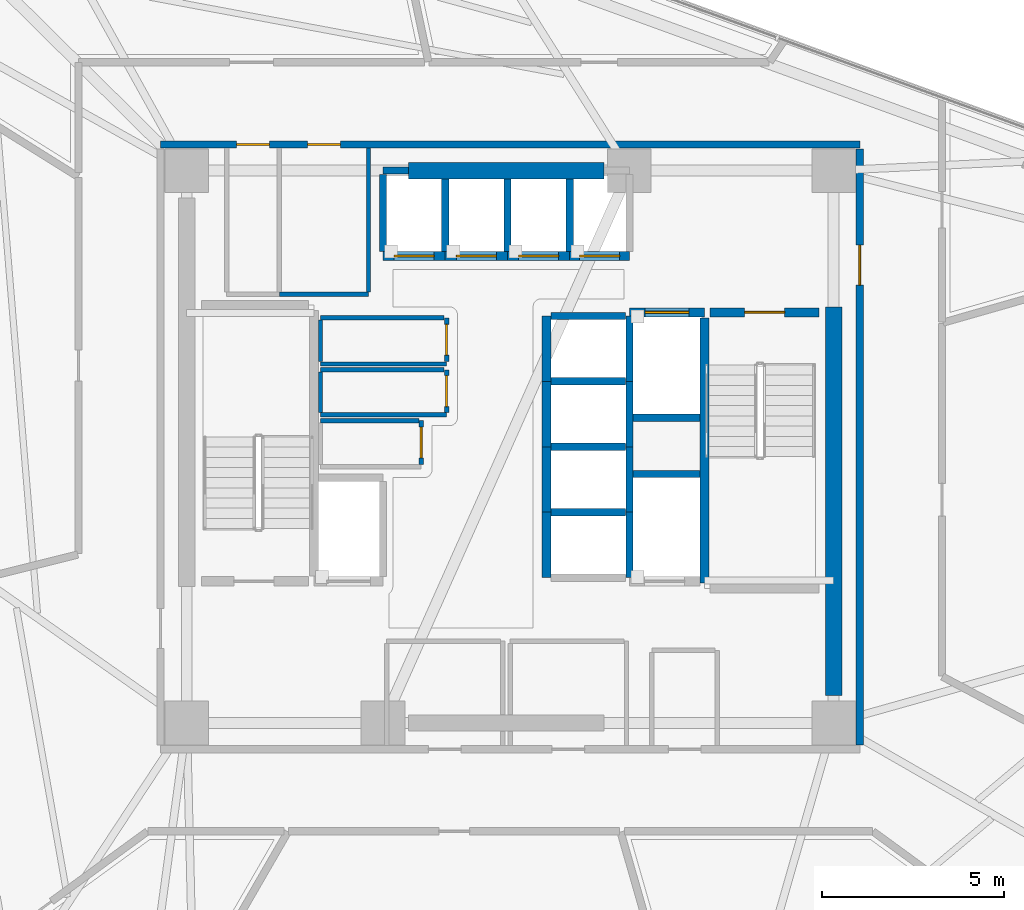
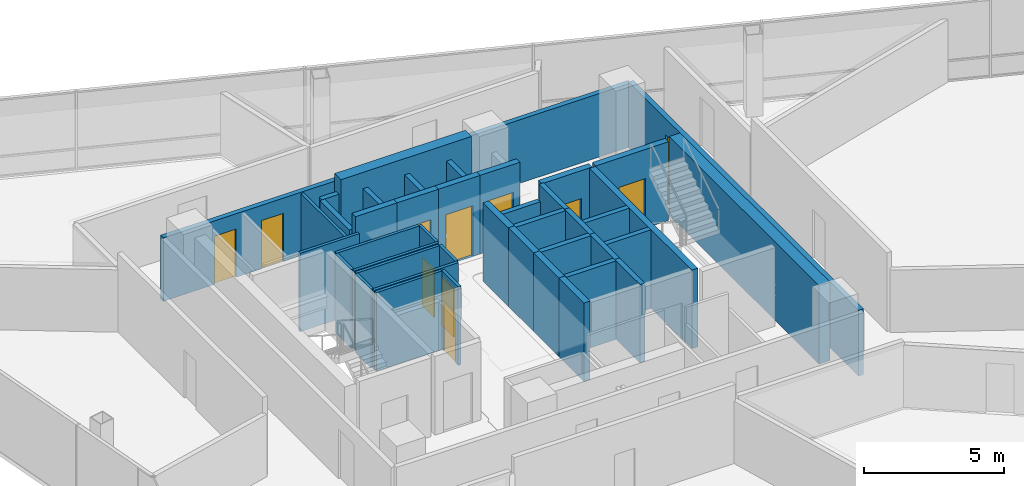
# One storey, part 11 of 15: 42 walls, 12 doors, 12 openings.
"""IFC4 building model written with IfcOpenShell, lengths in metres."""

from ifc_helpers import new_model, si_unit, direction, frame, frame_2d, origin, place, context, subcontext, project, spatial, rectangle, extrude, material, layer, layer_set, type_object, element, fill, save


model = new_model("IFC4")

# Units and contexts
model_context = context("Model", 3, precision=1e-05, world=origin(), true_north=direction((0.0, 1.0)))
body_context = subcontext(model_context, "Body", "Model", "MODEL_VIEW")
ifc_project = project(units=[si_unit("LENGTHUNIT", "METRE"), si_unit("AREAUNIT", "SQUARE_METRE"), si_unit("VOLUMEUNIT", "CUBIC_METRE"), si_unit("PLANEANGLEUNIT", "RADIAN"), si_unit("MASSUNIT", "GRAM", prefix="KILO")], contexts=[model_context])

# Site, building, storey
site_placement = place(None, origin())
site = spatial("IfcSite", under=ifc_project, at=site_placement, CompositionType="ELEMENT")
building_placement = place(site_placement, origin())
building = spatial("IfcBuilding", under=site, at=building_placement, Name="Tharavind Bronze Gate", CompositionType="ELEMENT")
storey_placement = place(building_placement, frame((0.0, 0.0, 174.10009765625)))
storey = spatial("IfcBuildingStorey", under=building, at=storey_placement, Name="L44", CompositionType="ELEMENT", Elevation=174.10009765625)

# Wall, openings, doors
ifc_material_1 = material(Name="Aerated Concrete Block", Category="concrete")
ifc_layer_1 = layer(ifc_material_1, 0.199951171875)
ifc_layer_set_1 = layer_set([ifc_layer_1], Name="Aerated Concrete Block")
wall_type_1 = type_object("IfcWallType", Name="FIRE RATED PARTITION 200", PredefinedType="PARTITIONING", material=ifc_layer_set_1)
wall_1_placement = place(storey_placement, frame((9.6201171875, 8.320068359375, 0.0), z_axis=(0.0, 0.0, 1.0), x_axis=(-1.0, 0.0, 0.0)))
wall_1 = element("IfcWall", 1, at=wall_1_placement, inside=storey, type_object=wall_type_1, Name="L44 north core corridor wall", PredefinedType="PARTITIONING", context=body_context, shape_type="SweptSolid", body=[
    extrude(rectangle(XDim=19.240234375, YDim=0.199951171875, at=frame_2d((9.6201171875, 0.0))), origin(), (0.0, 0.0, 1.0), 2.764892578125),
])
opening_1_placement = place(wall_1_placement, frame((16.2451171875, 0.0, 0.0)))
opening_1 = element("IfcOpeningElement", 2, at=opening_1_placement, cuts=wall_1, Name="Opening ID07", PredefinedType="OPENING", context=body_context, shape_type="SweptSolid", body=[
    extrude(rectangle(XDim=0.89990234375, YDim=2.10009765625, at=frame_2d((0.449951171875, 1.050048828125))), frame((0.0, 0.11009765625, 0.0), z_axis=(0.0, -1.0, 0.0), x_axis=(1.0, 0.0, 0.0)), (0.0, 0.0, 1.0), 0.219951171875),
])
opening_2_placement = place(wall_1_placement, frame((14.294921875, 0.0, 0.0)))
opening_2 = element("IfcOpeningElement", 3, at=opening_2_placement, cuts=wall_1, Name="Opening ID07", PredefinedType="OPENING", context=body_context, shape_type="SweptSolid", body=[
    extrude(rectangle(XDim=0.89990234375, YDim=2.10009765625, at=frame_2d((0.449951171875, 1.050048828125))), frame((0.0, 0.11009765625, 0.0), z_axis=(0.0, -1.0, 0.0), x_axis=(1.0, 0.0, 0.0)), (0.0, 0.0, 1.0), 0.219951171875),
])
ifc_material_2 = material(Name="Galvanised Fire Steel", Category="steel")
door_type_1 = type_object("IfcDoorType", Name="PLANT AND RISER FIRE DOOR 900X2100", OperationType="SINGLE_SWING_LEFT", PredefinedType="DOOR", material=ifc_material_2)
door_1_placement = place(opening_1_placement, frame((0.89990234375, 0.0, 0.0), z_axis=(0.0, 0.0, 1.0), x_axis=(-1.0, 0.0, 0.0)))
door_1 = element("IfcDoor", 4, at=door_1_placement, inside=storey, type_object=door_type_1, Name="L44 Battery Backup Cupboard fire door", OperationType="SINGLE_SWING_LEFT", OverallHeight=2.10009765625, OverallWidth=0.89990234375, PredefinedType="DOOR", context=body_context, shape_type="SweptSolid", body=[
    extrude(rectangle(XDim=0.89990234375, YDim=2.10009765625, at=frame_2d((0.449951171875, 1.050048828125))), frame((0.0, 0.02490234375, 0.0), z_axis=(0.0, -1.0, 0.0), x_axis=(1.0, 0.0, 0.0)), (0.0, 0.0, 1.0), 0.050048828125),
])
fill(opening_1, door_1)
door_2_placement = place(opening_2_placement, frame((0.89990234375, 0.0, 0.0), z_axis=(0.0, 0.0, 1.0), x_axis=(-1.0, 0.0, 0.0)))
door_2 = element("IfcDoor", 5, at=door_2_placement, inside=storey, type_object=door_type_1, Name="L44 Cleaner Store Room fire door", OperationType="SINGLE_SWING_LEFT", OverallHeight=2.10009765625, OverallWidth=0.89990234375, PredefinedType="DOOR", context=body_context, shape_type="SweptSolid", body=[
    extrude(rectangle(XDim=0.89990234375, YDim=2.10009765625, at=frame_2d((0.449951171875, 1.050048828125))), frame((0.0, 0.02490234375, 0.0), z_axis=(0.0, -1.0, 0.0), x_axis=(1.0, 0.0, 0.0)), (0.0, 0.0, 1.0), 0.050048828125),
])
fill(opening_2, door_2)

# Wall, opening, door
wall_2_placement = place(storey_placement, frame((9.6201171875, -8.199951171875, 0.0), z_axis=(0.0, 0.0, 1.0), x_axis=(0.0, 1.0, 0.0)))
wall_2 = element("IfcWall", 6, at=wall_2_placement, inside=storey, type_object=wall_type_1, Name="L44 east core corridor wall", PredefinedType="PARTITIONING", context=body_context, shape_type="SweptSolid", body=[
    extrude(rectangle(XDim=16.39990234375, YDim=0.199951171875, at=frame_2d((8.199951171875, 0.0))), origin(), (0.0, 0.0, 1.0), 2.864990234375),
])
opening_3_placement = place(wall_2_placement, frame((12.64990234375, 0.0, 0.0)))
opening_3 = element("IfcOpeningElement", 7, at=opening_3_placement, cuts=wall_2, Name="Opening ID01", PredefinedType="OPENING", context=body_context, shape_type="SweptSolid", body=[
    extrude(rectangle(XDim=1.10009765625, YDim=2.14990234375, at=frame_2d((0.550048828125, 1.074951171875))), frame((0.0, 0.11009765625, 0.0), z_axis=(0.0, -1.0, 0.0), x_axis=(1.0, 0.0, 0.0)), (0.0, 0.0, 1.0), 0.219951171875),
])
ifc_material_3 = material(Name="Fire-Rated Steel", Category="steel")
door_type_2 = type_object("IfcDoorType", Name="STAIR CORE FIRE DOOR 1100X2150", OperationType="SINGLE_SWING_LEFT", PredefinedType="DOOR", material=ifc_material_3)
door_3_placement = place(opening_3_placement, frame((1.10009765625, 0.0, 0.0), z_axis=(0.0, 0.0, 1.0), x_axis=(-1.0, 0.0, 0.0)))
door_3 = element("IfcDoor", 8, at=door_3_placement, inside=storey, type_object=door_type_2, Name="L44 north east stair lobby fire door", OperationType="SINGLE_SWING_LEFT", OverallHeight=2.14990234375, OverallWidth=1.10009765625, PredefinedType="DOOR", context=body_context, shape_type="SweptSolid", body=[
    extrude(rectangle(XDim=1.10009765625, YDim=2.14990234375, at=frame_2d((0.550048828125, 1.074951171875))), frame((0.0, 0.02490234375, 0.0), z_axis=(0.0, -1.0, 0.0), x_axis=(1.0, 0.0, 0.0)), (0.0, 0.0, 1.0), 0.050048828125),
])
fill(opening_3, door_3)

# Wall
ifc_material_4 = material(Name="Metal Stud Gypsum Partition", Category="gypsum")
ifc_layer_2 = layer(ifc_material_4, 0.1201171875)
ifc_layer_set_2 = layer_set([ifc_layer_2], Name="Metal Stud Gypsum Partition")
wall_type_2 = type_object("IfcWallType", Name="INTERIOR PARTITION WALL 120", PredefinedType="PARTITIONING", material=ifc_layer_set_2)
wall_3_placement = place(storey_placement, frame((-5.219970703125, 2.280029296875, 0.0), z_axis=(0.0, 0.0, 1.0), x_axis=(1.0, 0.0, 0.0)))
element("IfcWall", 9, at=wall_3_placement, inside=storey, type_object=wall_type_2, Name="L44 Housekeeping Linen Store partition 1", PredefinedType="PARTITIONING", context=body_context, shape_type="SweptSolid", body=[
    extrude(rectangle(XDim=3.469970703125, YDim=0.1201171875, at=frame_2d((1.73486328125, 0.0))), origin(), (0.0, 0.0, 1.0), 3.419921875),
])

# Wall, opening, door
wall_4_placement = place(storey_placement, frame((-1.75, 2.344970703125, 0.0), z_axis=(0.0, 0.0, 1.0), x_axis=(0.0, 1.0, 0.0)))
wall_4 = element("IfcWall", 10, at=wall_4_placement, inside=storey, type_object=wall_type_2, Name="L44 Housekeeping Linen Store partition 2", PredefinedType="PARTITIONING", context=body_context, shape_type="SweptSolid", body=[
    extrude(rectangle(XDim=1.205078125, YDim=0.1201171875, at=frame_2d((0.6025390625, 0.0))), origin(), (0.0, 0.0, 1.0), 3.419921875),
])
opening_4_placement = place(wall_4_placement, frame((0.177001953125, 0.0, 0.0)))
opening_4 = element("IfcOpeningElement", 11, at=opening_4_placement, cuts=wall_4, Name="Opening ID06", PredefinedType="OPENING", context=body_context, shape_type="SweptSolid", body=[
    extrude(rectangle(XDim=0.85009765625, YDim=2.10009765625, at=frame_2d((0.425048828125, 1.050048828125))), frame((0.0, 0.07005859375, 0.0), z_axis=(0.0, -1.0, 0.0), x_axis=(1.0, 0.0, 0.0)), (0.0, 0.0, 1.0), 0.1401171875),
])
ifc_material_5 = material(Name="Moisture-Resistant Timber", Category="wood")
door_type_3 = type_object("IfcDoorType", Name="BATHROOM PRIVACY DOOR 850X2100", OperationType="SINGLE_SWING_RIGHT", PredefinedType="DOOR", material=ifc_material_5)
door_4_placement = place(opening_4_placement, frame((0.85009765625, 0.0, 0.0), z_axis=(0.0, 0.0, 1.0), x_axis=(-1.0, 0.0, 0.0)))
door_4 = element("IfcDoor", 12, at=door_4_placement, inside=storey, type_object=door_type_3, Name="L44 Housekeeping Linen Store door", OperationType="SINGLE_SWING_RIGHT", OverallHeight=2.10009765625, OverallWidth=0.85009765625, PredefinedType="DOOR", context=body_context, shape_type="SweptSolid", body=[
    extrude(rectangle(XDim=0.85009765625, YDim=2.10009765625, at=frame_2d((0.425048828125, 1.050048828125))), frame((0.0, 0.02490234375, 0.0), z_axis=(0.0, -1.0, 0.0), x_axis=(1.0, 0.0, 0.0)), (0.0, 0.0, 1.0), 0.050048828125),
])
fill(opening_4, door_4)

# Walls
wall_5_placement = place(storey_placement, frame((-1.81494140625, 3.550048828125, 0.0), z_axis=(0.0, 0.0, 1.0), x_axis=(-1.0, 0.0, 0.0)))
element("IfcWall", 13, at=wall_5_placement, inside=storey, type_object=wall_type_2, Name="L44 Housekeeping Linen Store partition 3", PredefinedType="PARTITIONING", context=body_context, shape_type="SweptSolid", body=[
    extrude(rectangle(XDim=3.405029296875, YDim=0.1201171875, at=frame_2d((1.70263671875, 0.0))), origin(), (0.0, 0.0, 1.0), 3.419921875),
])
wall_6_placement = place(storey_placement, frame((-5.219970703125, 3.485107421875, 0.0), z_axis=(0.0, 0.0, 1.0), x_axis=(0.0, -1.0, 0.0)))
element("IfcWall", 14, at=wall_6_placement, inside=storey, type_object=wall_type_2, Name="L44 Housekeeping Linen Store partition 4", PredefinedType="PARTITIONING", context=body_context, shape_type="SweptSolid", body=[
    extrude(rectangle(XDim=1.14013671875, YDim=0.1201171875, at=frame_2d((0.570068359375, 0.0))), origin(), (0.0, 0.0, 1.0), 3.419921875),
])
wall_7_placement = place(storey_placement, frame((-5.219970703125, 0.8798828125, 0.0), z_axis=(0.0, 0.0, 1.0), x_axis=(1.0, 0.0, 0.0)))
element("IfcWall", 15, at=wall_7_placement, inside=storey, type_object=wall_type_2, Name="L44 Comms Data Room partition 1", PredefinedType="PARTITIONING", context=body_context, shape_type="SweptSolid", body=[
    extrude(rectangle(XDim=3.469970703125, YDim=0.1201171875, at=frame_2d((1.73486328125, 0.0))), origin(), (0.0, 0.0, 1.0), 3.419921875),
])

# Wall, opening, door
wall_8_placement = place(storey_placement, frame((-1.75, 0.945068359375, 0.0), z_axis=(0.0, 0.0, 1.0), x_axis=(0.0, 1.0, 0.0)))
wall_8 = element("IfcWall", 16, at=wall_8_placement, inside=storey, type_object=wall_type_2, Name="L44 Comms Data Room partition 2", PredefinedType="PARTITIONING", context=body_context, shape_type="SweptSolid", body=[
    extrude(rectangle(XDim=1.175048828125, YDim=0.1201171875, at=frame_2d((0.58740234375, 0.0))), origin(), (0.0, 0.0, 1.0), 3.419921875),
])
opening_5_placement = place(wall_8_placement, frame((0.1630859375, 0.0, 0.0)))
opening_5 = element("IfcOpeningElement", 17, at=opening_5_placement, cuts=wall_8, Name="Opening ID06", PredefinedType="OPENING", context=body_context, shape_type="SweptSolid", body=[
    extrude(rectangle(XDim=0.85009765625, YDim=2.10009765625, at=frame_2d((0.425048828125, 1.050048828125))), frame((0.0, 0.07005859375, 0.0), z_axis=(0.0, -1.0, 0.0), x_axis=(1.0, 0.0, 0.0)), (0.0, 0.0, 1.0), 0.1401171875),
])
door_5_placement = place(opening_5_placement, frame((0.85009765625, 0.0, 0.0), z_axis=(0.0, 0.0, 1.0), x_axis=(-1.0, 0.0, 0.0)))
door_5 = element("IfcDoor", 18, at=door_5_placement, inside=storey, type_object=door_type_3, Name="L44 Comms Data Room door", OperationType="SINGLE_SWING_RIGHT", OverallHeight=2.10009765625, OverallWidth=0.85009765625, PredefinedType="DOOR", context=body_context, shape_type="SweptSolid", body=[
    extrude(rectangle(XDim=0.85009765625, YDim=2.10009765625, at=frame_2d((0.425048828125, 1.050048828125))), frame((0.0, 0.02490234375, 0.0), z_axis=(0.0, -1.0, 0.0), x_axis=(1.0, 0.0, 0.0)), (0.0, 0.0, 1.0), 0.050048828125),
])
fill(opening_5, door_5)

# Walls
wall_9_placement = place(storey_placement, frame((-1.81494140625, 2.1201171875, 0.0), z_axis=(0.0, 0.0, 1.0), x_axis=(-1.0, 0.0, 0.0)))
element("IfcWall", 19, at=wall_9_placement, inside=storey, type_object=wall_type_2, Name="L44 Comms Data Room partition 3", PredefinedType="PARTITIONING", context=body_context, shape_type="SweptSolid", body=[
    extrude(rectangle(XDim=3.405029296875, YDim=0.1201171875, at=frame_2d((1.70263671875, 0.0))), origin(), (0.0, 0.0, 1.0), 3.419921875),
])
wall_10_placement = place(storey_placement, frame((-5.219970703125, 2.054931640625, 0.0), z_axis=(0.0, 0.0, 1.0), x_axis=(0.0, -1.0, 0.0)))
element("IfcWall", 20, at=wall_10_placement, inside=storey, type_object=wall_type_2, Name="L44 Comms Data Room partition 4", PredefinedType="PARTITIONING", context=body_context, shape_type="SweptSolid", body=[
    extrude(rectangle(XDim=1.10986328125, YDim=0.1201171875, at=frame_2d((0.554931640625, 0.0))), origin(), (0.0, 0.0, 1.0), 3.419921875),
])

# Wall, opening, door
wall_11_placement = place(storey_placement, frame((-2.449951171875, -0.485107421875, 0.0), z_axis=(0.0, 0.0, 1.0), x_axis=(0.0, 1.0, 0.0)))
wall_11 = element("IfcWall", 21, at=wall_11_placement, inside=storey, type_object=wall_type_2, Name="L44 Electrical Metering Store partition 2", PredefinedType="PARTITIONING", context=body_context, shape_type="SweptSolid", body=[
    extrude(rectangle(XDim=1.205078125, YDim=0.1201171875, at=frame_2d((0.6025390625, 0.0))), origin(), (0.0, 0.0, 1.0), 3.419921875),
])
opening_6_placement = place(wall_11_placement, frame((0.177978515625, 0.0, 0.0)))
opening_6 = element("IfcOpeningElement", 22, at=opening_6_placement, cuts=wall_11, Name="Opening ID06", PredefinedType="OPENING", context=body_context, shape_type="SweptSolid", body=[
    extrude(rectangle(XDim=0.85009765625, YDim=2.10009765625, at=frame_2d((0.425048828125, 1.050048828125))), frame((0.0, 0.07005859375, 0.0), z_axis=(0.0, -1.0, 0.0), x_axis=(1.0, 0.0, 0.0)), (0.0, 0.0, 1.0), 0.1401171875),
])
door_6_placement = place(opening_6_placement, frame((0.85009765625, 0.0, 0.0), z_axis=(0.0, 0.0, 1.0), x_axis=(-1.0, 0.0, 0.0)))
door_6 = element("IfcDoor", 23, at=door_6_placement, inside=storey, type_object=door_type_3, Name="L44 Electrical Metering Store door", OperationType="SINGLE_SWING_RIGHT", OverallHeight=2.10009765625, OverallWidth=0.85009765625, PredefinedType="DOOR", context=body_context, shape_type="SweptSolid", body=[
    extrude(rectangle(XDim=0.85009765625, YDim=2.10009765625, at=frame_2d((0.425048828125, 1.050048828125))), frame((0.0, 0.02490234375, 0.0), z_axis=(0.0, -1.0, 0.0), x_axis=(1.0, 0.0, 0.0)), (0.0, 0.0, 1.0), 0.050048828125),
])
fill(opening_6, door_6)

# Walls
wall_12_placement = place(storey_placement, frame((-2.514892578125, 0.719970703125, 0.0), z_axis=(0.0, 0.0, 1.0), x_axis=(-1.0, 0.0, 0.0)))
element("IfcWall", 24, at=wall_12_placement, inside=storey, type_object=wall_type_2, Name="L44 Electrical Metering Store partition 3", PredefinedType="PARTITIONING", context=body_context, shape_type="SweptSolid", body=[
    extrude(rectangle(XDim=2.705078125, YDim=0.1201171875, at=frame_2d((1.3525390625, 0.0))), origin(), (0.0, 0.0, 1.0), 3.419921875),
])
wall_13_placement = place(storey_placement, frame((-6.35009765625, 4.199951171875, 0.0), z_axis=(0.0, 0.0, 1.0), x_axis=(1.0, 0.0, 0.0)))
element("IfcWall", 25, at=wall_13_placement, inside=storey, type_object=wall_type_2, Name="L44 Cleaner Store Room partition 1", PredefinedType="PARTITIONING", context=body_context, shape_type="SweptSolid", body=[
    extrude(rectangle(XDim=2.4501953125, YDim=0.1201171875, at=frame_2d((1.22509765625, 0.0))), origin(), (0.0, 0.0, 1.0), 3.419921875),
])
wall_14_placement = place(storey_placement, frame((-3.89990234375, 4.264892578125, 0.0), z_axis=(0.0, 0.0, 1.0), x_axis=(0.0, 1.0, 0.0)))
element("IfcWall", 26, at=wall_14_placement, inside=storey, type_object=wall_type_2, Name="L44 Cleaner Store Room partition 2", PredefinedType="PARTITIONING", context=body_context, shape_type="SweptSolid", body=[
    extrude(rectangle(XDim=3.9501953125, YDim=0.1201171875, at=frame_2d((1.97509765625, 0.0))), origin(), (0.0, 0.0, 1.0), 2.71484375),
])
ifc_material_6 = material(Name="Concrete C50/60", Category="concrete")
ifc_layer_3 = layer(ifc_material_6, 0.25)
ifc_layer_set_3 = layer_set([ifc_layer_3], Name="Concrete C50/60")
wall_type_3 = type_object("IfcWallType", Name="RC CORE SHEAR WALL 250", PredefinedType="SHEAR", material=ifc_layer_set_3)
wall_15_placement = place(storey_placement, frame((5.35009765625, -3.75, 0.0), z_axis=(0.0, 0.0, 1.0), x_axis=(0.0, 1.0, 0.0)))
element("IfcWall", 27, at=wall_15_placement, inside=storey, type_object=wall_type_3, Name="L44 ST2 shaft west wall", PredefinedType="SHEAR", context=body_context, shape_type="SweptSolid", body=[
    extrude(rectangle(XDim=7.300048828125, YDim=0.25, at=frame_2d((3.64990234375, 0.0))), origin(), (0.0, 0.0, 1.0), 3.419921875),
])

# Wall, opening, door
wall_16_placement = place(storey_placement, frame((5.5, 3.699951171875, 0.0), z_axis=(0.0, 0.0, 1.0), x_axis=(1.0, 0.0, 0.0)))
wall_16 = element("IfcWall", 28, at=wall_16_placement, inside=storey, type_object=wall_type_3, Name="L44 ST2 shaft north wall", PredefinedType="SHEAR", context=body_context, shape_type="SweptSolid", body=[
    extrude(rectangle(XDim=3.0, YDim=0.25, at=frame_2d((1.5, 0.0))), origin(), (0.0, 0.0, 1.0), 3.419921875),
])
opening_7_placement = place(wall_16_placement, frame((0.949951171875, 0.0, 0.0)))
opening_7 = element("IfcOpeningElement", 29, at=opening_7_placement, cuts=wall_16, Name="Opening ID01", PredefinedType="OPENING", context=body_context, shape_type="SweptSolid", body=[
    extrude(rectangle(XDim=1.10009765625, YDim=2.14990234375, at=frame_2d((0.550048828125, 1.074951171875))), frame((0.0, 0.135, 0.0), z_axis=(0.0, -1.0, 0.0), x_axis=(1.0, 0.0, 0.0)), (0.0, 0.0, 1.0), 0.27),
])
door_7_placement = place(opening_7_placement, frame((1.10009765625, 0.0, 0.0), z_axis=(0.0, 0.0, 1.0), x_axis=(-1.0, 0.0, 0.0)))
door_7 = element("IfcDoor", 30, at=door_7_placement, inside=storey, type_object=door_type_2, Name="L44 exit stair ST2 fire door", OperationType="SINGLE_SWING_LEFT", OverallHeight=2.14990234375, OverallWidth=1.10009765625, PredefinedType="DOOR", context=body_context, shape_type="SweptSolid", body=[
    extrude(rectangle(XDim=1.10009765625, YDim=2.14990234375, at=frame_2d((0.550048828125, 1.074951171875))), frame((0.0, 0.02490234375, 0.0), z_axis=(0.0, -1.0, 0.0), x_axis=(1.0, 0.0, 0.0)), (0.0, 0.0, 1.0), 0.050048828125),
])
fill(opening_7, door_7)

wall_17_placement = place(storey_placement, frame((-3.5, 5.25, 0.0), z_axis=(0.0, 0.0, 1.0), x_axis=(1.0, 0.0, 0.0)))
wall_17 = element("IfcWall", 31, at=wall_17_placement, inside=storey, type_object=wall_type_3, Name="L44 lift PL5 shaft front wall", PredefinedType="SHEAR", context=body_context, shape_type="SweptSolid", body=[
    extrude(rectangle(XDim=1.71240234375, YDim=0.25, at=frame_2d((0.856201171875, 0.0))), origin(), (0.0, 0.0, 1.0), 3.419921875),
])
opening_8_placement = place(wall_17_placement, frame((0.305908203125, 0.0, 0.0)))
opening_8 = element("IfcOpeningElement", 32, at=opening_8_placement, cuts=wall_17, Name="Opening LD01", PredefinedType="OPENING", context=body_context, shape_type="SweptSolid", body=[
    extrude(rectangle(XDim=1.10009765625, YDim=2.199951171875, at=frame_2d((0.550048828125, 1.10009765625))), frame((0.0, 0.135, 0.0), z_axis=(0.0, -1.0, 0.0), x_axis=(1.0, 0.0, 0.0)), (0.0, 0.0, 1.0), 0.27),
])
ifc_material_7 = material(Name="Brushed Bronze Stainless Steel", Category="steel")
door_type_4 = type_object("IfcDoorType", Name="LIFT LANDING SLIDING DOOR 1100X2200", OperationType="SLIDING_TO_LEFT", PredefinedType="DOOR", material=ifc_material_7)
door_8_placement = place(opening_8_placement, origin())
door_8 = element("IfcDoor", 33, at=door_8_placement, inside=storey, type_object=door_type_4, Name="L44 lift PL5 sliding landing door", OperationType="SLIDING_TO_LEFT", OverallHeight=2.199951171875, OverallWidth=1.10009765625, PredefinedType="DOOR", context=body_context, shape_type="SweptSolid", body=[
    extrude(rectangle(XDim=1.10009765625, YDim=2.199951171875, at=frame_2d((0.550048828125, 1.10009765625))), frame((0.0, 0.02490234375, 0.0), z_axis=(0.0, -1.0, 0.0), x_axis=(1.0, 0.0, 0.0)), (0.0, 0.0, 1.0), 0.050048828125),
])
fill(opening_8, door_8)

wall_18_placement = place(storey_placement, frame((-1.78759765625, 5.25, 0.0), z_axis=(0.0, 0.0, 1.0), x_axis=(1.0, 0.0, 0.0)))
wall_18 = element("IfcWall", 34, at=wall_18_placement, inside=storey, type_object=wall_type_3, Name="L44 lift PL6 shaft front wall", PredefinedType="SHEAR", context=body_context, shape_type="SweptSolid", body=[
    extrude(rectangle(XDim=1.712646484375, YDim=0.25, at=frame_2d((0.8564453125, 0.0))), origin(), (0.0, 0.0, 1.0), 3.419921875),
])
opening_9_placement = place(wall_18_placement, frame((0.305908203125, 0.0, 0.0)))
opening_9 = element("IfcOpeningElement", 35, at=opening_9_placement, cuts=wall_18, Name="Opening LD01", PredefinedType="OPENING", context=body_context, shape_type="SweptSolid", body=[
    extrude(rectangle(XDim=1.10009765625, YDim=2.199951171875, at=frame_2d((0.550048828125, 1.10009765625))), frame((0.0, 0.135, 0.0), z_axis=(0.0, -1.0, 0.0), x_axis=(1.0, 0.0, 0.0)), (0.0, 0.0, 1.0), 0.27),
])
door_9_placement = place(opening_9_placement, origin())
door_9 = element("IfcDoor", 36, at=door_9_placement, inside=storey, type_object=door_type_4, Name="L44 lift PL6 sliding landing door", OperationType="SLIDING_TO_LEFT", OverallHeight=2.199951171875, OverallWidth=1.10009765625, PredefinedType="DOOR", context=body_context, shape_type="SweptSolid", body=[
    extrude(rectangle(XDim=1.10009765625, YDim=2.199951171875, at=frame_2d((0.550048828125, 1.10009765625))), frame((0.0, 0.02490234375, 0.0), z_axis=(0.0, -1.0, 0.0), x_axis=(1.0, 0.0, 0.0)), (0.0, 0.0, 1.0), 0.050048828125),
])
fill(opening_9, door_9)

wall_19_placement = place(storey_placement, frame((-0.074951171875, 5.25, 0.0), z_axis=(0.0, 0.0, 1.0), x_axis=(1.0, 0.0, 0.0)))
wall_19 = element("IfcWall", 37, at=wall_19_placement, inside=storey, type_object=wall_type_3, Name="L44 lift PL7 shaft front wall", PredefinedType="SHEAR", context=body_context, shape_type="SweptSolid", body=[
    extrude(rectangle(XDim=1.71240234375, YDim=0.25, at=frame_2d((0.856201171875, 0.0))), origin(), (0.0, 0.0, 1.0), 3.419921875),
])
opening_10_placement = place(wall_19_placement, frame((0.305908203125, 0.0, 0.0)))
opening_10 = element("IfcOpeningElement", 38, at=opening_10_placement, cuts=wall_19, Name="Opening LD01", PredefinedType="OPENING", context=body_context, shape_type="SweptSolid", body=[
    extrude(rectangle(XDim=1.10009765625, YDim=2.199951171875, at=frame_2d((0.550048828125, 1.10009765625))), frame((0.0, 0.135, 0.0), z_axis=(0.0, -1.0, 0.0), x_axis=(1.0, 0.0, 0.0)), (0.0, 0.0, 1.0), 0.27),
])
door_10_placement = place(opening_10_placement, origin())
door_10 = element("IfcDoor", 39, at=door_10_placement, inside=storey, type_object=door_type_4, Name="L44 lift PL7 sliding landing door", OperationType="SLIDING_TO_LEFT", OverallHeight=2.199951171875, OverallWidth=1.10009765625, PredefinedType="DOOR", context=body_context, shape_type="SweptSolid", body=[
    extrude(rectangle(XDim=1.10009765625, YDim=2.199951171875, at=frame_2d((0.550048828125, 1.10009765625))), frame((0.0, 0.02490234375, 0.0), z_axis=(0.0, -1.0, 0.0), x_axis=(1.0, 0.0, 0.0)), (0.0, 0.0, 1.0), 0.050048828125),
])
fill(opening_10, door_10)

wall_20_placement = place(storey_placement, frame((1.637451171875, 5.25, 0.0), z_axis=(0.0, 0.0, 1.0), x_axis=(1.0, 0.0, 0.0)))
wall_20 = element("IfcWall", 40, at=wall_20_placement, inside=storey, type_object=wall_type_3, Name="L44 lift PL8 shaft front wall", PredefinedType="SHEAR", context=body_context, shape_type="SweptSolid", body=[
    extrude(rectangle(XDim=1.642578125, YDim=0.25, at=frame_2d((0.8212890625, 0.0))), origin(), (0.0, 0.0, 1.0), 3.419921875),
])
opening_11_placement = place(wall_20_placement, frame((0.27099609375, 0.0, 0.0)))
opening_11 = element("IfcOpeningElement", 41, at=opening_11_placement, cuts=wall_20, Name="Opening LD01", PredefinedType="OPENING", context=body_context, shape_type="SweptSolid", body=[
    extrude(rectangle(XDim=1.10009765625, YDim=2.199951171875, at=frame_2d((0.550048828125, 1.10009765625))), frame((0.0, 0.135, 0.0), z_axis=(0.0, -1.0, 0.0), x_axis=(1.0, 0.0, 0.0)), (0.0, 0.0, 1.0), 0.27),
])
door_11_placement = place(opening_11_placement, origin())
door_11 = element("IfcDoor", 42, at=door_11_placement, inside=storey, type_object=door_type_4, Name="L44 lift PL8 sliding landing door", OperationType="SLIDING_TO_LEFT", OverallHeight=2.199951171875, OverallWidth=1.10009765625, PredefinedType="DOOR", context=body_context, shape_type="SweptSolid", body=[
    extrude(rectangle(XDim=1.10009765625, YDim=2.199951171875, at=frame_2d((0.550048828125, 1.10009765625))), frame((0.0, 0.02490234375, 0.0), z_axis=(0.0, -1.0, 0.0), x_axis=(1.0, 0.0, 0.0)), (0.0, 0.0, 1.0), 0.050048828125),
])
fill(opening_11, door_11)

# Walls
for number, where, z_axis, x_axis, name in (
    (43, (1.0, -3.60009765625, 0.0), (0.0, 0.0, 1.0), (0.0, 1.0, 0.0), "L44 lift PL9 shaft front wall"),
    (44, (1.0, -1.800048828125, 0.0), (0.0, 0.0, 1.0), (0.0, 1.0, 0.0), "L44 lift PL10 shaft front wall"),
    (45, (1.0, 0.0, 0.0), (0.0, 0.0, 1.0), (0.0, 1.0, 0.0), "L44 lift PL11 shaft front wall"),
    (46, (1.0, 1.800048828125, 0.0), (0.0, 0.0, 1.0), (0.0, 1.0, 0.0), "L44 lift PL12 shaft front wall"),
):
    element("IfcWall", number, at=place(storey_placement, frame(where, z_axis=z_axis, x_axis=x_axis)), inside=storey, type_object=wall_type_3, Name=name, PredefinedType="SHEAR", context=body_context, shape_type="SweptSolid", body=[
        extrude(rectangle(XDim=1.800048828125, YDim=0.25, at=frame_2d((0.89990234375, 0.0))), origin(), (0.0, 0.0, 1.0), 3.419921875),
    ])

# Wall, opening, door
wall_21_placement = place(storey_placement, frame((3.280029296875, 3.699951171875, 0.0), z_axis=(0.0, 0.0, 1.0), x_axis=(1.0, 0.0, 0.0)))
wall_21 = element("IfcWall", 47, at=wall_21_placement, inside=storey, type_object=wall_type_3, Name="L44 lift FFL2 shaft front wall", PredefinedType="SHEAR", context=body_context, shape_type="SweptSolid", body=[
    extrude(rectangle(XDim=2.070068359375, YDim=0.25, at=frame_2d((1.03515625, 0.0))), origin(), (0.0, 0.0, 1.0), 3.419921875),
])
opening_12_placement = place(wall_21_placement, frame((0.43505859375, 0.0, 0.0)))
opening_12 = element("IfcOpeningElement", 48, at=opening_12_placement, cuts=wall_21, Name="Opening LD02", PredefinedType="OPENING", context=body_context, shape_type="SweptSolid", body=[
    extrude(rectangle(XDim=1.199951171875, YDim=2.199951171875, at=frame_2d((0.60009765625, 1.10009765625))), frame((0.0, 0.135, 0.0), z_axis=(0.0, -1.0, 0.0), x_axis=(1.0, 0.0, 0.0)), (0.0, 0.0, 1.0), 0.27),
])
ifc_material_8 = material(Name="Brushed Stainless Steel", Category="steel")
door_type_5 = type_object("IfcDoorType", Name="FIREFIGHTING LIFT LANDING DOOR 1200X2200", OperationType="SLIDING_TO_RIGHT", PredefinedType="DOOR", material=ifc_material_8)
door_12_placement = place(opening_12_placement, origin())
door_12 = element("IfcDoor", 49, at=door_12_placement, inside=storey, type_object=door_type_5, Name="L44 lift FFL2 sliding landing door", OperationType="SLIDING_TO_RIGHT", OverallHeight=2.199951171875, OverallWidth=1.199951171875, PredefinedType="DOOR", context=body_context, shape_type="SweptSolid", body=[
    extrude(rectangle(XDim=1.199951171875, YDim=2.199951171875, at=frame_2d((0.60009765625, 1.10009765625))), frame((0.0, 0.02490234375, 0.0), z_axis=(0.0, -1.0, 0.0), x_axis=(1.0, 0.0, 0.0)), (0.0, 0.0, 1.0), 0.050048828125),
])
fill(opening_12, door_12)

# Walls
ifc_material_9 = material(Name="Concrete C60/75", Category="concrete")
ifc_layer_4 = layer(ifc_material_9, 0.449951171875)
ifc_layer_set_4 = layer_set([ifc_layer_4], Name="Concrete C60/75")
wall_type_4 = type_object("IfcWallType", Name="RC CORE SHEAR WALL 450", PredefinedType="SHEAR", material=ifc_layer_set_4)
wall_22_placement = place(storey_placement, frame((-2.800048828125, 7.60009765625, 0.0), z_axis=(0.0, 0.0, 1.0), x_axis=(1.0, 0.0, 0.0)))
element("IfcWall", 50, at=wall_22_placement, inside=storey, type_object=wall_type_4, Name="L44 north core shear wall", PredefinedType="SHEAR", context=body_context, shape_type="SweptSolid", body=[
    extrude(rectangle(XDim=5.380126953125, YDim=0.449951171875, at=frame_2d((2.68994140625, 0.0))), origin(), (0.0, 0.0, 1.0), 3.419921875),
])
wall_23_placement = place(storey_placement, frame((8.89990234375, -6.85009765625, 0.0), z_axis=(0.0, 0.0, 1.0), x_axis=(0.0, 1.0, 0.0)))
element("IfcWall", 51, at=wall_23_placement, inside=storey, type_object=wall_type_4, Name="L44 east core shear wall", PredefinedType="SHEAR", context=body_context, shape_type="SweptSolid", body=[
    extrude(rectangle(XDim=10.7001953125, YDim=0.449951171875, at=frame_2d((5.35009765625, 0.0))), origin(), (0.0, 0.0, 1.0), 3.419921875),
])
ifc_material_10 = material(Name="Concrete C40/50", Category="concrete")
ifc_layer_5 = layer(ifc_material_10, 0.199951171875)
ifc_layer_set_5 = layer_set([ifc_layer_5], Name="Concrete C40/50")
wall_type_5 = type_object("IfcWallType", Name="SHAFT ENCLOSURE WALL 200", PredefinedType="PARTITIONING", material=ifc_layer_set_5)
wall_24_placement = place(storey_placement, frame((-3.5, 7.60009765625, 0.0), z_axis=(0.0, 0.0, 1.0), x_axis=(1.0, 0.0, 0.0)))
element("IfcWall", 52, at=wall_24_placement, inside=storey, type_object=wall_type_5, Name="L44 lift PL5 shaft N enclosure wall", PredefinedType="PARTITIONING", context=body_context, shape_type="SweptSolid", body=[
    extrude(rectangle(XDim=0.699951171875, YDim=0.199951171875, at=frame_2d((0.35009765625, 0.0))), origin(), (0.0, 0.0, 1.0), 2.71484375),
])
wall_25_placement = place(storey_placement, frame((-3.5, 5.3798828125, 0.0), z_axis=(0.0, 0.0, 1.0), x_axis=(0.0, 1.0, 0.0)))
element("IfcWall", 53, at=wall_25_placement, inside=storey, type_object=wall_type_5, Name="L44 lift PL5 shaft W enclosure wall", PredefinedType="PARTITIONING", context=body_context, shape_type="SweptSolid", body=[
    extrude(rectangle(XDim=2.115234375, YDim=0.199951171875, at=frame_2d((1.0576171875, 0.0))), origin(), (0.0, 0.0, 1.0), 2.71484375),
])
for number, where, z_axis, x_axis, name in (
    (54, (-1.78759765625, 5.3798828125, 0.0), (0.0, 0.0, 1.0), (0.0, 1.0, 0.0), "L44 lift PL5 shaft E enclosure wall"),
    (55, (-0.074951171875, 5.3798828125, 0.0), (0.0, 0.0, 1.0), (0.0, 1.0, 0.0), "L44 lift PL6 shaft E enclosure wall"),
    (56, (1.637451171875, 5.3798828125, 0.0), (0.0, 0.0, 1.0), (0.0, 1.0, 0.0), "L44 lift PL7 shaft E enclosure wall"),
):
    element("IfcWall", number, at=place(storey_placement, frame(where, z_axis=z_axis, x_axis=x_axis)), inside=storey, type_object=wall_type_5, Name=name, PredefinedType="PARTITIONING", context=body_context, shape_type="SweptSolid", body=[
        extrude(rectangle(XDim=1.990234375, YDim=0.199951171875, at=frame_2d((0.9951171875, 0.0))), origin(), (0.0, 0.0, 1.0), 2.71484375),
    ])
wall_26_placement = place(storey_placement, frame((3.280029296875, -3.60009765625, 0.0), z_axis=(0.0, 0.0, 1.0), x_axis=(0.0, 1.0, 0.0)))
element("IfcWall", 57, at=wall_26_placement, inside=storey, type_object=wall_type_5, Name="L44 lift PL9 shaft E enclosure wall", PredefinedType="PARTITIONING", context=body_context, shape_type="SweptSolid", body=[
    extrude(rectangle(XDim=1.800048828125, YDim=0.199951171875, at=frame_2d((0.89990234375, 0.0))), origin(), (0.0, 0.0, 1.0), 3.419921875),
])
wall_27_placement = place(storey_placement, frame((1.1298828125, -1.800048828125, 0.0), z_axis=(0.0, 0.0, 1.0), x_axis=(1.0, 0.0, 0.0)))
element("IfcWall", 58, at=wall_27_placement, inside=storey, type_object=wall_type_5, Name="L44 lift PL9 shaft N enclosure wall", PredefinedType="PARTITIONING", context=body_context, shape_type="SweptSolid", body=[
    extrude(rectangle(XDim=2.045166015625, YDim=0.199951171875, at=frame_2d((1.0224609375, 0.0))), origin(), (0.0, 0.0, 1.0), 3.419921875),
])
wall_28_placement = place(storey_placement, frame((3.280029296875, -1.800048828125, 0.0), z_axis=(0.0, 0.0, 1.0), x_axis=(0.0, 1.0, 0.0)))
element("IfcWall", 59, at=wall_28_placement, inside=storey, type_object=wall_type_5, Name="L44 lift PL10 shaft E enclosure wall", PredefinedType="PARTITIONING", context=body_context, shape_type="SweptSolid", body=[
    extrude(rectangle(XDim=1.800048828125, YDim=0.199951171875, at=frame_2d((0.89990234375, 0.0))), origin(), (0.0, 0.0, 1.0), 3.419921875),
])
wall_29_placement = place(storey_placement, frame((1.1298828125, 0.0, 0.0), z_axis=(0.0, 0.0, 1.0), x_axis=(1.0, 0.0, 0.0)))
element("IfcWall", 60, at=wall_29_placement, inside=storey, type_object=wall_type_5, Name="L44 lift PL10 shaft N enclosure wall", PredefinedType="PARTITIONING", context=body_context, shape_type="SweptSolid", body=[
    extrude(rectangle(XDim=2.045166015625, YDim=0.199951171875, at=frame_2d((1.0224609375, 0.0))), origin(), (0.0, 0.0, 1.0), 3.419921875),
])
wall_30_placement = place(storey_placement, frame((3.280029296875, 0.0, 0.0), z_axis=(0.0, 0.0, 1.0), x_axis=(0.0, 1.0, 0.0)))
element("IfcWall", 61, at=wall_30_placement, inside=storey, type_object=wall_type_5, Name="L44 lift PL11 shaft E enclosure wall", PredefinedType="PARTITIONING", context=body_context, shape_type="SweptSolid", body=[
    extrude(rectangle(XDim=1.800048828125, YDim=0.199951171875, at=frame_2d((0.89990234375, 0.0))), origin(), (0.0, 0.0, 1.0), 3.419921875),
])
wall_31_placement = place(storey_placement, frame((1.1298828125, 1.800048828125, 0.0), z_axis=(0.0, 0.0, 1.0), x_axis=(1.0, 0.0, 0.0)))
element("IfcWall", 62, at=wall_31_placement, inside=storey, type_object=wall_type_5, Name="L44 lift PL11 shaft N enclosure wall", PredefinedType="PARTITIONING", context=body_context, shape_type="SweptSolid", body=[
    extrude(rectangle(XDim=2.045166015625, YDim=0.199951171875, at=frame_2d((1.0224609375, 0.0))), origin(), (0.0, 0.0, 1.0), 3.419921875),
])
wall_32_placement = place(storey_placement, frame((3.280029296875, 1.800048828125, 0.0), z_axis=(0.0, 0.0, 1.0), x_axis=(0.0, 1.0, 0.0)))
element("IfcWall", 63, at=wall_32_placement, inside=storey, type_object=wall_type_5, Name="L44 lift PL12 shaft E enclosure wall", PredefinedType="PARTITIONING", context=body_context, shape_type="SweptSolid", body=[
    extrude(rectangle(XDim=1.800048828125, YDim=0.199951171875, at=frame_2d((0.89990234375, 0.0))), origin(), (0.0, 0.0, 1.0), 3.419921875),
])
wall_33_placement = place(storey_placement, frame((1.1298828125, 3.60009765625, 0.0), z_axis=(0.0, 0.0, 1.0), x_axis=(1.0, 0.0, 0.0)))
element("IfcWall", 64, at=wall_33_placement, inside=storey, type_object=wall_type_5, Name="L44 lift PL12 shaft N enclosure wall", PredefinedType="PARTITIONING", context=body_context, shape_type="SweptSolid", body=[
    extrude(rectangle(XDim=2.045166015625, YDim=0.199951171875, at=frame_2d((1.0224609375, 0.0))), origin(), (0.0, 0.0, 1.0), 2.71484375),
])
for number, where, z_axis, x_axis, name in (
    (65, (3.385009765625, 0.800048828125, 0.0), (0.0, 0.0, 1.0), (1.0, 0.0, 0.0), "L44 lift FFL2 shaft S enclosure wall"),
    (66, (3.385009765625, -0.75, 0.0), (0.0, 0.0, 1.0), (1.0, 0.0, 0.0), "L44 lift SVL1 shaft N enclosure wall"),
):
    element("IfcWall", number, at=place(storey_placement, frame(where, z_axis=z_axis, x_axis=x_axis)), inside=storey, type_object=wall_type_5, Name=name, PredefinedType="PARTITIONING", context=body_context, shape_type="SweptSolid", body=[
        extrude(rectangle(XDim=1.8349609375, YDim=0.199951171875, at=frame_2d((0.91748046875, 0.0))), origin(), (0.0, 0.0, 1.0), 3.419921875),
    ])

save(model, "model.ifc")
